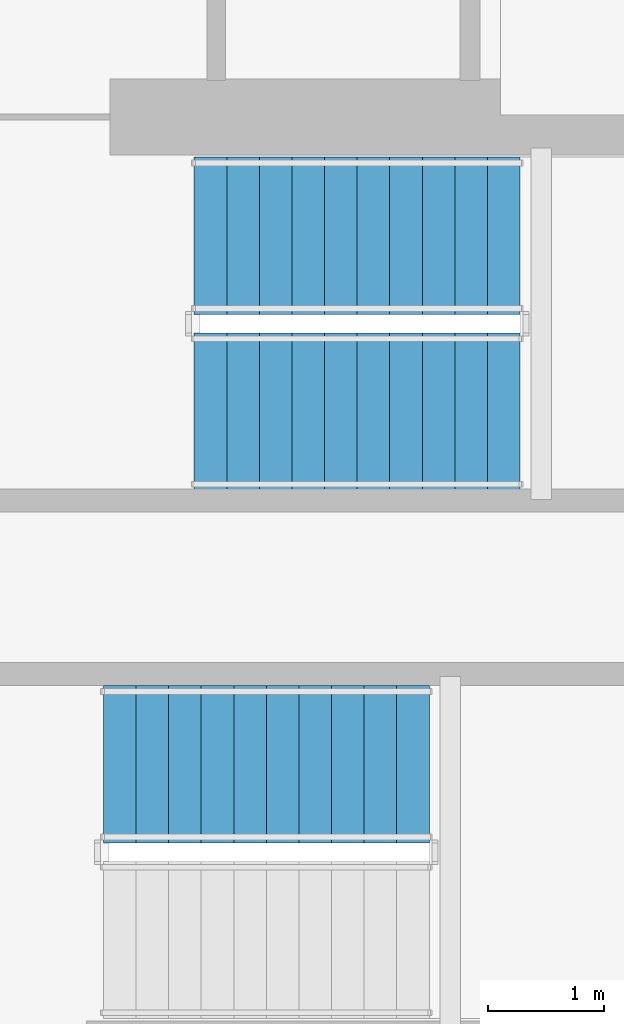
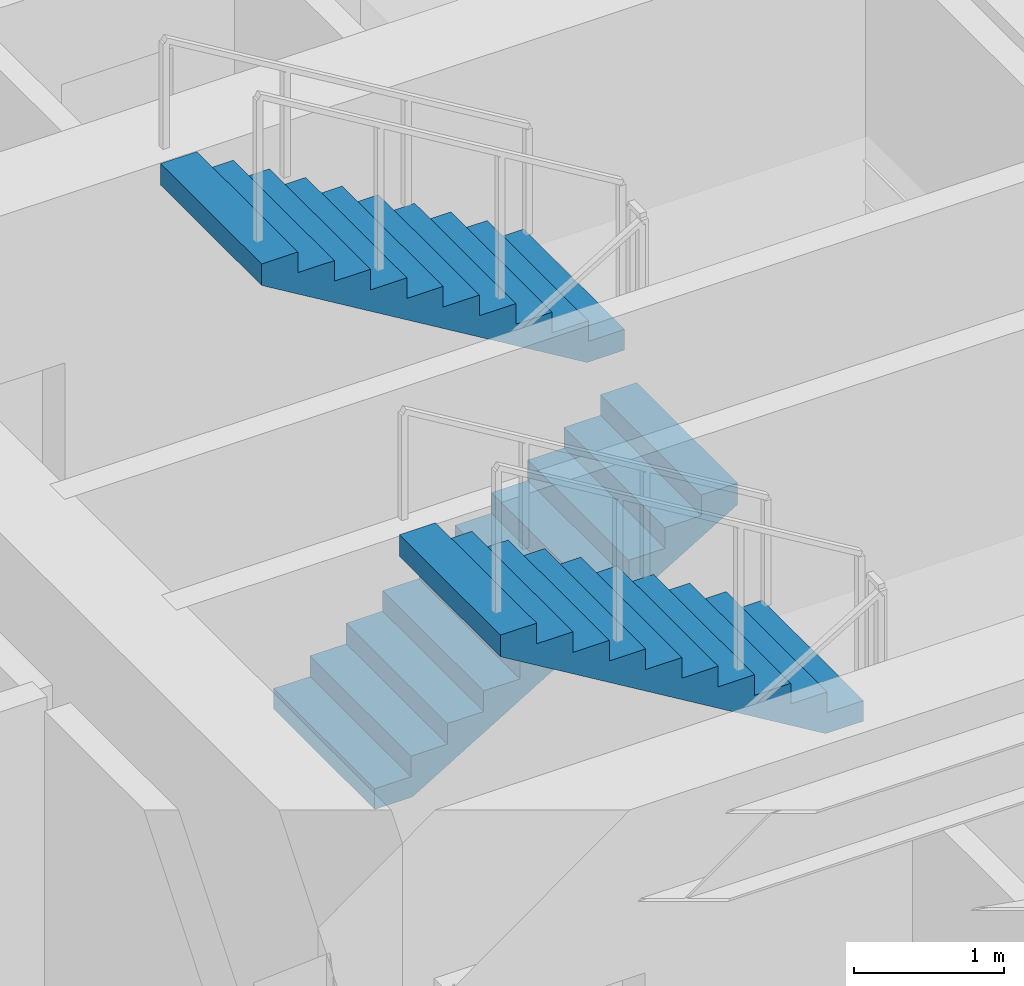
# One storey, part 19 of 23: 3 stair flights, 2 elements without a shape of their own.
"""IFC4 building model written with IfcOpenShell, lengths in metres."""

from ifc_helpers import new_model, si_unit, direction, frame, origin, place, context, subcontext, project, spatial, polyline, outline, extrude, material, type_object, element, aggregate, save


model = new_model("IFC4")

# Units and contexts
model_context = context("Model", 3, precision=1e-05, world=origin(), true_north=direction((0.0, 1.0)))
body_context = subcontext(model_context, "Body", "Model", "MODEL_VIEW")
ifc_project = project(units=[si_unit("LENGTHUNIT", "METRE"), si_unit("AREAUNIT", "SQUARE_METRE"), si_unit("VOLUMEUNIT", "CUBIC_METRE"), si_unit("PLANEANGLEUNIT", "RADIAN"), si_unit("MASSUNIT", "GRAM", prefix="KILO")], contexts=[model_context])

# Site, building, storey
site_placement = place(None, origin())
site = spatial("IfcSite", under=ifc_project, at=site_placement, CompositionType="ELEMENT")
building_placement = place(site_placement, origin())
building = spatial("IfcBuilding", under=site, at=building_placement, Name="Qianvela Tower", CompositionType="ELEMENT")
storey_placement = place(building_placement, frame((0.0, 0.0, 29.39990234375)))
storey = spatial("IfcBuildingStorey", under=building, at=storey_placement, Name="L06", CompositionType="ELEMENT", Elevation=29.39990234375)

# Stair, stair flights
ifc_material_1 = material(Name="Concrete C40", Category="concrete")
stair_type = type_object("IfcStairType", Name="ST-DOGLEG-1350-R168-N22", PredefinedType="HALF_TURN_STAIR", material=ifc_material_1)
stair_1_placement = place(storey_placement, origin())
stair_1 = element("IfcStair", 1, at=stair_1_placement, inside=storey, type_object=stair_type, Name="L06 Smoke-Proof Core Stair ST-1", PredefinedType="HALF_TURN_STAIR")
ifc_material_2 = material(Name="Concrete C40", Category="concrete")
stair_flight_type = type_object("IfcStairFlightType", Name="STF-STRAIGHT-R168-P11", PredefinedType="STRAIGHT", material=ifc_material_2)
stair_flight_1_placement = place(storey_placement, frame((32.199951171875, 30.215087890625, 0.0), z_axis=(0.0, 0.0, 1.0), x_axis=(1.0, 0.0, 0.0)))
stair_flight_1 = element("IfcStairFlight", 2, at=stair_flight_1_placement, type_object=stair_flight_type, Name="ST-1 flight 1", NumberOfRisers=11, NumberOfTreads=10, PredefinedType="STRAIGHT", RiserHeight=0.168181818, TreadLength=0.28, context=body_context, shape_type="SweptSolid", body=[
    extrude(outline(polyline([(0.0, 0.0), (0.0, 0.168212890625), (0.280029296875, 0.168212890625), (0.280029296875, 0.33642578125), (0.56005859375, 0.33642578125), (0.56005859375, 0.504638671875), (0.840087890625, 0.504638671875), (0.840087890625, 0.672607421875), (1.1201171875, 0.672607421875), (1.1201171875, 0.8408203125), (1.39990234375, 0.8408203125), (1.39990234375, 1.009033203125), (1.679931640625, 1.009033203125), (1.679931640625, 1.17724609375), (1.9599609375, 1.17724609375), (1.9599609375, 1.345458984375), (2.239990234375, 1.345458984375), (2.239990234375, 1.513671875), (2.52001953125, 1.513671875), (2.52001953125, 1.681884765625), (2.800048828125, 1.681884765625), (2.800048828125, 1.85009765625), (2.800048828125, 1.5068359375), (0.291015625, 0.0), (0.0, 0.0)])), frame((0.0, 0.675048828125, 0.0), z_axis=(0.0, -1.0, 0.0), x_axis=(1.0, 0.0, 0.0)), (0.0, 0.0, 1.0), 1.35009765625),
])
stair_flight_2_placement = place(storey_placement, frame((35.0, 31.72509765625, 1.85009765625), z_axis=(0.0, 0.0, 1.0), x_axis=(-1.0, 0.0, 0.0)))
stair_flight_2 = element("IfcStairFlight", 3, at=stair_flight_2_placement, type_object=stair_flight_type, Name="ST-1 flight 2", NumberOfRisers=11, NumberOfTreads=10, PredefinedType="STRAIGHT", RiserHeight=0.168181818, TreadLength=0.28, context=body_context, shape_type="SweptSolid", body=[
    extrude(outline(polyline([(0.0, 0.0), (0.0, 0.168212890625), (0.280029296875, 0.168212890625), (0.280029296875, 0.33642578125), (0.56005859375, 0.33642578125), (0.56005859375, 0.504638671875), (0.840087890625, 0.504638671875), (0.840087890625, 0.672607421875), (1.1201171875, 0.672607421875), (1.1201171875, 0.8408203125), (1.39990234375, 0.8408203125), (1.39990234375, 1.009033203125), (1.679931640625, 1.009033203125), (1.679931640625, 1.17724609375), (1.9599609375, 1.17724609375), (1.9599609375, 1.345458984375), (2.239990234375, 1.345458984375), (2.239990234375, 1.513671875), (2.52001953125, 1.513671875), (2.52001953125, 1.681884765625), (2.800048828125, 1.681884765625), (2.800048828125, 1.85009765625), (2.800048828125, 1.5068359375), (0.291015625, 0.0), (0.0, 0.0)])), frame((0.0, 0.675048828125, 0.0), z_axis=(0.0, -1.0, 0.0), x_axis=(1.0, 0.0, 0.0)), (0.0, 0.0, 1.0), 1.35009765625),
])
aggregate(stair_1, [stair_flight_1, stair_flight_2])

# Stair, stair flight
stair_2_placement = place(storey_placement, origin())
stair_2 = element("IfcStair", 4, at=stair_2_placement, inside=storey, type_object=stair_type, Name="L06 Smoke-Proof Core Stair ST-2", PredefinedType="HALF_TURN_STAIR")
stair_flight_3_placement = place(storey_placement, frame((34.219970703125, 27.18505859375, 1.85009765625), z_axis=(0.0, 0.0, 1.0), x_axis=(-1.0, 0.0, 0.0)))
stair_flight_3 = element("IfcStairFlight", 5, at=stair_flight_3_placement, type_object=stair_flight_type, Name="ST-2 flight 2", NumberOfRisers=11, NumberOfTreads=10, PredefinedType="STRAIGHT", RiserHeight=0.168181818, TreadLength=0.28, context=body_context, shape_type="SweptSolid", body=[
    extrude(outline(polyline([(0.0, 0.0), (0.0, 0.168212890625), (0.280029296875, 0.168212890625), (0.280029296875, 0.33642578125), (0.56005859375, 0.33642578125), (0.56005859375, 0.504638671875), (0.840087890625, 0.504638671875), (0.840087890625, 0.672607421875), (1.1201171875, 0.672607421875), (1.1201171875, 0.8408203125), (1.39990234375, 0.8408203125), (1.39990234375, 1.009033203125), (1.679931640625, 1.009033203125), (1.679931640625, 1.17724609375), (1.9599609375, 1.17724609375), (1.9599609375, 1.345458984375), (2.239990234375, 1.345458984375), (2.239990234375, 1.513671875), (2.52001953125, 1.513671875), (2.52001953125, 1.681884765625), (2.800048828125, 1.681884765625), (2.800048828125, 1.85009765625), (2.800048828125, 1.5068359375), (0.291015625, 0.0), (0.0, 0.0)])), frame((0.0, 0.675048828125, 0.0), z_axis=(0.0, -1.0, 0.0), x_axis=(1.0, 0.0, 0.0)), (0.0, 0.0, 1.0), 1.35009765625),
])
aggregate(stair_2, [stair_flight_3])

save(model, "model.ifc")
